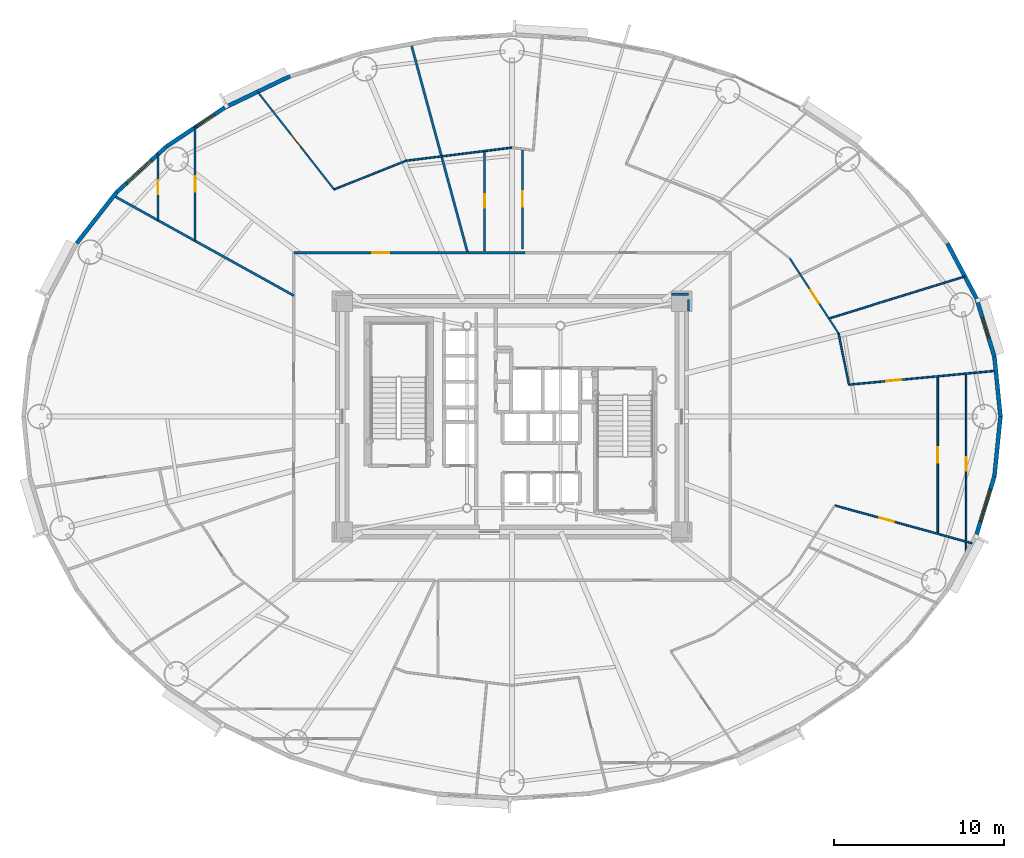
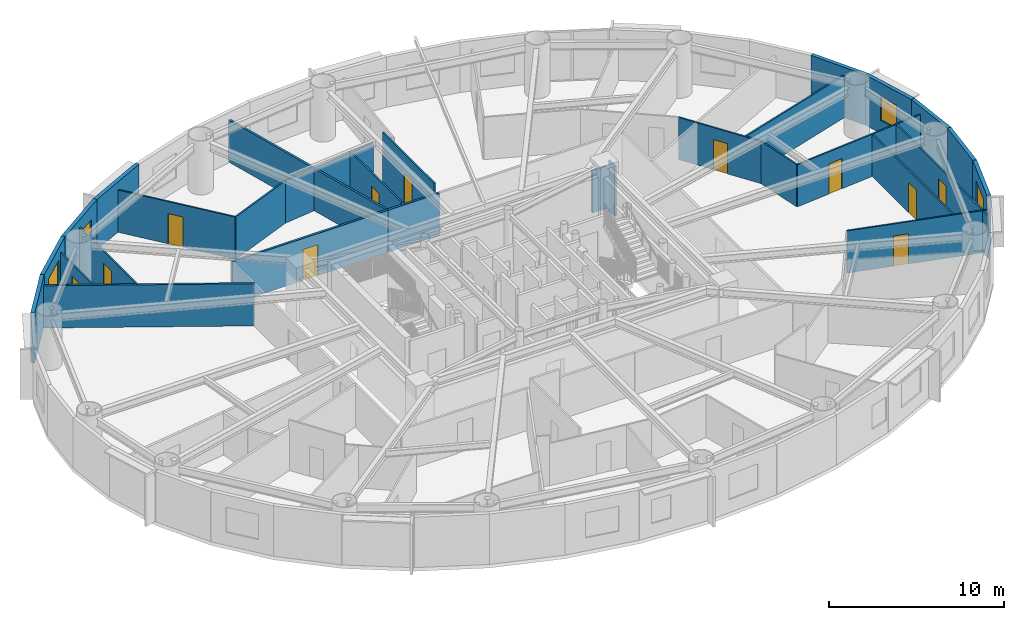
# One storey, part 10 of 16: 29 walls, 11 doors, 4 windows, 15 openings.
"""IFC4 building model written with IfcOpenShell, lengths in metres."""

from ifc_helpers import new_model, si_unit, direction, frame, frame_2d, origin, origin_2d, place, context, subcontext, project, spatial, rectangle, extrude, source, transform, mapped, material, layer, layer_set, type_object, element, fill, save


model = new_model("IFC4")

# Units and contexts
model_context = context("Model", 3, precision=1e-05, world=origin(), true_north=direction((0.0, 1.0)))
body_context = subcontext(model_context, "Body", "Model", "MODEL_VIEW")
ifc_project = project(units=[si_unit("LENGTHUNIT", "METRE"), si_unit("AREAUNIT", "SQUARE_METRE"), si_unit("VOLUMEUNIT", "CUBIC_METRE"), si_unit("PLANEANGLEUNIT", "RADIAN"), si_unit("MASSUNIT", "GRAM", prefix="KILO")], contexts=[model_context])

# Site, building, storey
site_placement = place(None, origin())
site = spatial("IfcSite", under=ifc_project, at=site_placement, CompositionType="ELEMENT")
building_placement = place(site_placement, origin())
building = spatial("IfcBuilding", under=site, at=building_placement, Name="Linh Dai School and Residence Tower", CompositionType="ELEMENT")
storey_placement = place(building_placement, frame((0.0, 0.0, 138.449951171875)))
storey = spatial("IfcBuildingStorey", under=building, at=storey_placement, Name="L33", CompositionType="ELEMENT", Elevation=138.449951171875)

# Wall
ifc_material_1 = material(Name="Precast Concrete B45 (C35/45)", Category="concrete")
ifc_layer_1 = layer(ifc_material_1, 0.239990234375)
ifc_layer_set_1 = layer_set([ifc_layer_1], Name="Precast Concrete B45 (C35/45)")
wall_type_1 = type_object("IfcWallType", Name="EW-TC-240", PredefinedType="SOLIDWALL", material=ifc_layer_set_1)
wall_1_placement = place(storey_placement, frame((64.421630859375, 30.515380859375, 0.0), z_axis=(0.0, 0.0, 1.0), x_axis=(0.099989468229, -0.994988495533, 0.0)))
element("IfcWall", 1, at=wall_1_placement, inside=storey, type_object=wall_type_1, Name="L33 Terracotta Exterior Wall 01", PredefinedType="SOLIDWALL", context=body_context, shape_type="SweptSolid", body=[
    extrude(rectangle(XDim=3.533203125, YDim=0.239990234375, at=frame_2d((1.7666015625, 0.0))), origin(), (0.0, 0.0, 1.0), 3.5),
])

# Wall, opening, window
wall_2_placement = place(storey_placement, frame((63.3701171875, 33.945068359375, 0.0), z_axis=(0.0, 0.0, 1.0), x_axis=(0.293124431344, -0.956074300329, 0.0)))
wall_2 = element("IfcWall", 2, at=wall_2_placement, inside=storey, type_object=wall_type_1, Name="L33 Terracotta Exterior Wall 02", PredefinedType="SOLIDWALL", context=body_context, shape_type="SweptSolid", body=[
    extrude(rectangle(XDim=3.587158203125, YDim=0.239990234375, at=frame_2d((1.79345703125, 0.0))), origin(), (0.0, 0.0, 1.0), 3.5),
])
opening_1_placement = place(wall_2_placement, frame((1.168701171875, 0.0, 0.89990234375)))
opening_1 = element("IfcOpeningElement", 3, at=opening_1_placement, cuts=wall_2, Name="Opening W3", PredefinedType="OPENING", context=body_context, shape_type="SweptSolid", body=[
    extrude(rectangle(XDim=1.25, YDim=1.64990234375, at=origin_2d()), frame((0.625, 0.1298828125, 0.824951171875), z_axis=(0.0, -1.0, 0.0), x_axis=(1.0, 0.0, 0.0)), (0.0, 0.0, 1.0), 0.260009765625),
])
ifc_material_2 = material(Name="Double Low-E Insulated Glazing", Category="glass")
window_type_1 = type_object("IfcWindowType", Name="WN-RES-1250x1650", PartitioningType="SINGLE_PANEL", PredefinedType="WINDOW", material=ifc_material_2)
shared_shape_1 = source(origin(), body_context, "Body", "SweptSolid", [
    extrude(rectangle(XDim=1.25, YDim=1.64990234375, at=origin_2d()), frame((0.625, 0.030029296875, 0.824951171875), z_axis=(0.0, -1.0, 0.0), x_axis=(1.0, 0.0, 0.0)), (0.0, 0.0, 1.0), 0.06005859375),
])
window_1_placement = place(opening_1_placement, origin())
window_1 = element("IfcWindow", 4, at=window_1_placement, inside=storey, type_object=window_type_1, Name="L33 Dwelling Window U3303-BD2", OverallHeight=1.64990234375, OverallWidth=1.25, PartitioningType="SINGLE_PANEL", PredefinedType="WINDOW", context=body_context, shape_type="MappedRepresentation", body=[
    mapped(shared_shape_1, transform((0.0, 0.0, 0.0), x_axis=(1.0, 0.0, 0.0), y_axis=(0.0, 1.0, 0.0), z_axis=(0.0, 0.0, 1.0), scale=1.0)),
])
fill(opening_1, window_1)

# Walls
wall_3_placement = place(storey_placement, frame((61.645263671875, 37.20556640625, 0.0), z_axis=(0.0, 0.0, 1.0), x_axis=(0.467614004126, -0.883932770716, 0.0)))
element("IfcWall", 5, at=wall_3_placement, inside=storey, type_object=wall_type_1, Name="L33 Terracotta Exterior Wall 03", PredefinedType="SOLIDWALL", context=body_context, shape_type="SweptSolid", body=[
    extrude(rectangle(XDim=3.688720703125, YDim=0.239990234375, at=frame_2d((1.84423828125, 0.0))), origin(), (0.0, 0.0, 1.0), 3.5),
])
wall_4_placement = place(storey_placement, frame((19.07470703125, 45.199462890625, 0.0), z_axis=(0.0, 0.0, 1.0), x_axis=(0.901589935876, 0.432591709962, 0.0)))
element("IfcWall", 6, at=wall_4_placement, inside=storey, type_object=wall_type_1, Name="L33 Terracotta Exterior Wall 14", PredefinedType="SOLIDWALL", context=body_context, shape_type="SweptSolid", body=[
    extrude(rectangle(XDim=4.271728515625, YDim=0.239990234375, at=frame_2d((2.1357421875, 0.0))), origin(), (0.0, 0.0, 1.0), 3.5),
])

# Wall, opening, window
wall_5_placement = place(storey_placement, frame((15.6416015625, 42.9033203125, 0.0), z_axis=(0.0, 0.0, 1.0), x_axis=(0.831221811447, 0.555940914284, 0.0)))
wall_5 = element("IfcWall", 7, at=wall_5_placement, inside=storey, type_object=wall_type_1, Name="L33 Terracotta Exterior Wall 15", PredefinedType="SOLIDWALL", context=body_context, shape_type="SweptSolid", body=[
    extrude(rectangle(XDim=4.130126953125, YDim=0.239990234375, at=frame_2d((2.06494140625, 0.0))), origin(), (0.0, 0.0, 1.0), 3.5),
])
opening_2_placement = place(wall_5_placement, frame((2.155517578125, 0.0, 0.89990234375)))
opening_2 = element("IfcOpeningElement", 8, at=opening_2_placement, cuts=wall_5, Name="Opening W3", PredefinedType="OPENING", context=body_context, shape_type="SweptSolid", body=[
    extrude(rectangle(XDim=1.25, YDim=1.64990234375, at=origin_2d()), frame((0.625, 0.1298828125, 0.824951171875), z_axis=(0.0, -1.0, 0.0), x_axis=(1.0, 0.0, 0.0)), (0.0, 0.0, 1.0), 0.260009765625),
])
window_2_placement = place(opening_2_placement, origin())
window_2 = element("IfcWindow", 9, at=window_2_placement, inside=storey, type_object=window_type_1, Name="L33 Dwelling Window U3305-LIV", OverallHeight=1.64990234375, OverallWidth=1.25, PartitioningType="SINGLE_PANEL", PredefinedType="WINDOW", context=body_context, shape_type="MappedRepresentation", body=[
    mapped(shared_shape_1, transform((0.0, 0.0, 0.0), x_axis=(1.0, 0.0, 0.0), y_axis=(0.0, 1.0, 0.0), z_axis=(0.0, 0.0, 1.0), scale=1.0)),
])
fill(opening_2, window_2)

wall_6_placement = place(storey_placement, frame((12.7109375, 40.216552734375, 0.0), z_axis=(0.0, 0.0, 1.0), x_axis=(0.737113356241, 0.675769117414, 0.0)))
wall_6 = element("IfcWall", 10, at=wall_6_placement, inside=storey, type_object=wall_type_1, Name="L33 Terracotta Exterior Wall 16", PredefinedType="SOLIDWALL", context=body_context, shape_type="SweptSolid", body=[
    extrude(rectangle(XDim=3.975830078125, YDim=0.239990234375, at=frame_2d((1.98779296875, 0.0))), origin(), (0.0, 0.0, 1.0), 3.5),
])
opening_3_placement = place(wall_6_placement, frame((0.78662109375, 0.0, 0.89990234375)))
opening_3 = element("IfcOpeningElement", 11, at=opening_3_placement, cuts=wall_6, Name="Opening W1", PredefinedType="OPENING", context=body_context, shape_type="SweptSolid", body=[
    extrude(rectangle(XDim=2.0, YDim=1.75, at=origin_2d()), frame((1.0, 0.1298828125, 0.875), z_axis=(0.0, -1.0, 0.0), x_axis=(1.0, 0.0, 0.0)), (0.0, 0.0, 1.0), 0.260009765625),
])
window_type_2 = type_object("IfcWindowType", Name="WN-RES-2000x1750", PartitioningType="DOUBLE_PANEL_VERTICAL", PredefinedType="WINDOW", material=ifc_material_2)
shared_shape_2 = source(origin(), body_context, "Body", "SweptSolid", [
    extrude(rectangle(XDim=2.0, YDim=1.75, at=origin_2d()), frame((1.0, 0.030029296875, 0.875), z_axis=(0.0, -1.0, 0.0), x_axis=(1.0, 0.0, 0.0)), (0.0, 0.0, 1.0), 0.06005859375),
])
window_3_placement = place(opening_3_placement, origin())
window_3 = element("IfcWindow", 12, at=window_3_placement, inside=storey, type_object=window_type_2, Name="L33 Exterior Window 16.1", OverallHeight=1.75, OverallWidth=2.0, PartitioningType="DOUBLE_PANEL_VERTICAL", PredefinedType="WINDOW", context=body_context, shape_type="MappedRepresentation", body=[
    mapped(shared_shape_2, transform((0.0, 0.0, 0.0), x_axis=(1.0, 0.0, 0.0), y_axis=(0.0, 1.0, 0.0), z_axis=(0.0, 0.0, 1.0), scale=1.0)),
])
fill(opening_3, window_3)

# Wall
wall_7_placement = place(storey_placement, frame((10.354736328125, 37.20556640625, 0.0), z_axis=(0.0, 0.0, 1.0), x_axis=(0.616272103517, 0.787533297345, 0.0)))
element("IfcWall", 13, at=wall_7_placement, inside=storey, type_object=wall_type_1, Name="L33 Terracotta Exterior Wall 17", PredefinedType="SOLIDWALL", context=body_context, shape_type="SweptSolid", body=[
    extrude(rectangle(XDim=3.8232421875, YDim=0.239990234375, at=frame_2d((1.91162109375, 0.0))), origin(), (0.0, 0.0, 1.0), 3.5),
])

# Wall, opening, window
wall_8_placement = place(storey_placement, frame((64.421630859375, 23.484619140625, 0.0), z_axis=(0.0, 0.0, 1.0), x_axis=(-0.293124431344, -0.956074300329, 0.0)))
wall_8 = element("IfcWall", 14, at=wall_8_placement, inside=storey, type_object=wall_type_1, Name="L33 Terracotta Exterior Wall 39", PredefinedType="SOLIDWALL", context=body_context, shape_type="SweptSolid", body=[
    extrude(rectangle(XDim=3.587158203125, YDim=0.239990234375, at=frame_2d((1.79345703125, 0.0))), origin(), (0.0, 0.0, 1.0), 3.5),
])
opening_4_placement = place(wall_8_placement, frame((0.793701171875, 0.0, 0.89990234375)))
opening_4 = element("IfcOpeningElement", 15, at=opening_4_placement, cuts=wall_8, Name="Opening W1", PredefinedType="OPENING", context=body_context, shape_type="SweptSolid", body=[
    extrude(rectangle(XDim=2.0, YDim=1.75, at=origin_2d()), frame((1.0, 0.1298828125, 0.875), z_axis=(0.0, -1.0, 0.0), x_axis=(1.0, 0.0, 0.0)), (0.0, 0.0, 1.0), 0.260009765625),
])
window_4_placement = place(opening_4_placement, origin())
window_4 = element("IfcWindow", 16, at=window_4_placement, inside=storey, type_object=window_type_2, Name="L33 Exterior Window 39.1", OverallHeight=1.75, OverallWidth=2.0, PartitioningType="DOUBLE_PANEL_VERTICAL", PredefinedType="WINDOW", context=body_context, shape_type="MappedRepresentation", body=[
    mapped(shared_shape_2, transform((0.0, 0.0, 0.0), x_axis=(1.0, 0.0, 0.0), y_axis=(0.0, 1.0, 0.0), z_axis=(0.0, 0.0, 1.0), scale=1.0)),
])
fill(opening_4, window_4)

# Walls
wall_9_placement = place(storey_placement, frame((64.77490234375, 27.0, 0.0), z_axis=(0.0, 0.0, 1.0), x_axis=(-0.099989468229, -0.994988495533, 0.0)))
element("IfcWall", 17, at=wall_9_placement, inside=storey, type_object=wall_type_1, Name="L33 Terracotta Exterior Wall 40", PredefinedType="SOLIDWALL", context=body_context, shape_type="SweptSolid", body=[
    extrude(rectangle(XDim=3.533203125, YDim=0.239990234375, at=frame_2d((1.7666015625, 0.0))), origin(), (0.0, 0.0, 1.0), 3.5),
])
ifc_material_3 = material(Name="Autoclaved Aerated Concrete Blockwork", Category="masonry")
ifc_layer_2 = layer(ifc_material_3, 0.135009765625)
ifc_layer_set_2 = layer_set([ifc_layer_2], Name="Autoclaved Aerated Concrete Blockwork")
wall_type_2 = type_object("IfcWallType", Name="IW-CORR-135-EI90", PredefinedType="PARTITIONING", material=ifc_layer_set_2)
wall_10_placement = place(storey_placement, frame((12.538818359375, 40.004638671875, 0.0), z_axis=(0.0, 0.0, 1.0), x_axis=(0.874619146564, -0.484810631549, 0.0)))
element("IfcWall", 18, at=wall_10_placement, inside=storey, type_object=wall_type_2, Name="L33 Interior Partition Wall 003", PredefinedType="PARTITIONING", context=body_context, shape_type="SweptSolid", body=[
    extrude(rectangle(XDim=12.13232421875, YDim=0.135009765625, at=frame_2d((6.066162109375, 0.0))), origin(), (0.0, 0.0, 1.0), 2.93505859375),
])

# Wall, opening, door
wall_11_placement = place(storey_placement, frame((23.14990234375, 36.64990234375, 0.0), z_axis=(0.0, 0.0, 1.0), x_axis=(1.0, 0.0, 0.0)))
wall_11 = element("IfcWall", 19, at=wall_11_placement, inside=storey, type_object=wall_type_2, Name="L33 Interior Partition Wall 017", PredefinedType="PARTITIONING", context=body_context, shape_type="SweptSolid", body=[
    extrude(rectangle(XDim=10.236328125, YDim=0.135009765625, at=frame_2d((5.1181640625, 0.0))), origin(), (0.0, 0.0, 1.0), 2.93505859375),
])
opening_5_placement = place(wall_11_placement, frame((4.6181640625, 0.0, 0.0)))
opening_5 = element("IfcOpeningElement", 20, at=opening_5_placement, cuts=wall_11, Name="Opening D03", PredefinedType="OPENING", context=body_context, shape_type="SweptSolid", body=[
    extrude(rectangle(XDim=1.0, YDim=2.14990234375, at=origin_2d()), frame((0.5, 0.07763671875, 1.074951171875), z_axis=(0.0, -1.0, 0.0), x_axis=(1.0, 0.0, 0.0)), (0.0, 0.0, 1.0), 0.155029296875),
])
ifc_material_4 = material(Name="Fire-Rated Solid Timber Entrance Door", Category="wood")
door_type_1 = type_object("IfcDoorType", Name="DR-FLAT-1000x2150-FD60S", OperationType="NOTDEFINED", PredefinedType="DOOR", material=ifc_material_4)
shared_shape_3 = source(origin(), body_context, "Body", "SweptSolid", [
    extrude(rectangle(XDim=1.0, YDim=2.14990234375, at=origin_2d()), frame((0.5, 0.02490234375, 1.074951171875), z_axis=(0.0, -1.0, 0.0), x_axis=(1.0, 0.0, 0.0)), (0.0, 0.0, 1.0), 0.050048828125),
])
door_1_placement = place(opening_5_placement, origin())
door_1 = element("IfcDoor", 21, at=door_1_placement, inside=storey, type_object=door_type_1, Name="L33 U3305 Apartment Entrance Door", OperationType="SINGLE_SWING_RIGHT", OverallHeight=2.14990234375, OverallWidth=1.0, PredefinedType="DOOR", context=body_context, shape_type="MappedRepresentation", body=[
    mapped(shared_shape_3, transform((0.0, 0.0, 0.0), x_axis=(1.0, 0.0, 0.0), y_axis=(0.0, 1.0, 0.0), z_axis=(0.0, 0.0, 1.0), scale=1.0)),
])
fill(opening_5, door_1)

# Walls
wall_12_placement = place(storey_placement, frame((30.0517578125, 48.961181640625, 0.0), z_axis=(0.0, 0.0, 1.0), x_axis=(0.261432565902, -0.965221743169, 0.0)))
element("IfcWall", 22, at=wall_12_placement, inside=storey, type_object=wall_type_2, Name="L33 Interior Partition Wall 024", PredefinedType="PARTITIONING", context=body_context, shape_type="SweptSolid", body=[
    extrude(rectangle(XDim=12.754638671875, YDim=0.135009765625, at=frame_2d((6.37744140625, 0.0))), origin(), (0.0, 0.0, 1.0), 2.93505859375),
])
wall_13_placement = place(storey_placement, frame((33.396240234375, 36.64990234375, 0.0), z_axis=(0.0, 0.0, 1.0), x_axis=(1.0, 0.0, 0.0)))
element("IfcWall", 23, at=wall_13_placement, inside=storey, type_object=wall_type_2, Name="L33 Interior Partition Wall 100", PredefinedType="PARTITIONING", context=body_context, shape_type="SweptSolid", body=[
    extrude(rectangle(XDim=3.367431640625, YDim=0.135009765625, at=frame_2d((1.68359375, 0.0))), origin(), (0.0, 0.0, 1.0), 2.93505859375),
])
wall_14_placement = place(storey_placement, frame((46.39990234375, 34.199951171875, 0.0), z_axis=(0.0, 0.0, 1.0), x_axis=(-1.0, 0.0, 0.0)))
element("IfcWall", 24, at=wall_14_placement, inside=storey, type_object=wall_type_2, Name="L33 Interior Partition Wall 102", PredefinedType="PARTITIONING", context=body_context, shape_type="SweptSolid", body=[
    extrude(rectangle(XDim=0.989990234375, YDim=0.135009765625, at=frame_2d((0.4951171875, 0.0))), origin(), (0.0, 0.0, 1.0), 2.93505859375),
])
wall_15_placement = place(storey_placement, frame((46.39990234375, 33.2099609375, 0.0), z_axis=(0.0, 0.0, 1.0), x_axis=(0.0, 1.0, 0.0)))
element("IfcWall", 25, at=wall_15_placement, inside=storey, type_object=wall_type_2, Name="L33 Interior Partition Wall 109", PredefinedType="PARTITIONING", context=body_context, shape_type="SweptSolid", body=[
    extrude(rectangle(XDim=0.6826171875, YDim=0.135009765625, at=frame_2d((0.34130859375, 0.0))), origin(), (0.0, 0.0, 1.0), 3.5),
])

# Wall, opening, door
ifc_material_5 = material(Name="Gypsum Plasterboard Acoustic Stud Partition", Category="masonry")
ifc_layer_3 = layer(ifc_material_5, 0.10009765625)
ifc_layer_set_3 = layer_set([ifc_layer_3], Name="Gypsum Plasterboard Acoustic Stud Partition")
wall_type_3 = type_object("IfcWallType", Name="IW-UNIT-100", PredefinedType="PARTITIONING", material=ifc_layer_set_3)
wall_16_placement = place(storey_placement, frame((15.1416015625, 38.56201171875, 0.0), z_axis=(0.0, 0.0, 1.0), x_axis=(0.0, 1.0, 0.0)))
wall_16 = element("IfcWall", 26, at=wall_16_placement, inside=storey, type_object=wall_type_3, Name="L33 Interior Partition Wall 005", PredefinedType="PARTITIONING", context=body_context, shape_type="SweptSolid", body=[
    extrude(rectangle(XDim=3.8896484375, YDim=0.10009765625, at=frame_2d((1.94482421875, 0.0))), origin(), (0.0, 0.0, 1.0), 2.93505859375),
])
opening_6_placement = place(wall_16_placement, frame((1.534912109375, 0.0, 0.0)))
opening_6 = element("IfcOpeningElement", 27, at=opening_6_placement, cuts=wall_16, Name="Opening D06", PredefinedType="OPENING", context=body_context, shape_type="SweptSolid", body=[
    extrude(rectangle(XDim=0.820068359375, YDim=2.10009765625, at=origin_2d()), frame((0.41015625, 0.06005859375, 1.050048828125), z_axis=(0.0, -1.0, 0.0), x_axis=(1.0, 0.0, 0.0)), (0.0, 0.0, 1.0), 0.1201171875),
])
ifc_material_6 = material(Name="Moisture-Resistant Timber Bathroom Door", Category="wood")
door_type_2 = type_object("IfcDoorType", Name="DR-WET-820x2100", OperationType="NOTDEFINED", PredefinedType="DOOR", material=ifc_material_6)
shared_shape_4 = source(origin(), body_context, "Body", "SweptSolid", [
    extrude(rectangle(XDim=0.820068359375, YDim=2.10009765625, at=origin_2d()), frame((0.41015625, 0.02490234375, 1.050048828125), z_axis=(0.0, -1.0, 0.0), x_axis=(1.0, 0.0, 0.0)), (0.0, 0.0, 1.0), 0.050048828125),
])
door_2_placement = place(opening_6_placement, origin())
door_2 = element("IfcDoor", 28, at=door_2_placement, inside=storey, type_object=door_type_2, Name="L33 Apartment U3305 Bathroom 1 Door", OperationType="SINGLE_SWING_LEFT", OverallHeight=2.10009765625, OverallWidth=0.820068359375, PredefinedType="DOOR", context=body_context, shape_type="MappedRepresentation", body=[
    mapped(shared_shape_4, transform((0.0, 0.0, 0.0), x_axis=(1.0, 0.0, 0.0), y_axis=(0.0, 1.0, 0.0), z_axis=(0.0, 0.0, 1.0), scale=1.0)),
])
fill(opening_6, door_2)

wall_17_placement = place(storey_placement, frame((17.330810546875, 37.348388671875, 0.0), z_axis=(0.0, 0.0, 1.0), x_axis=(0.0, 1.0, 0.0)))
wall_17 = element("IfcWall", 29, at=wall_17_placement, inside=storey, type_object=wall_type_3, Name="L33 Interior Partition Wall 009", PredefinedType="PARTITIONING", context=body_context, shape_type="SweptSolid", body=[
    extrude(rectangle(XDim=6.690673828125, YDim=0.10009765625, at=frame_2d((3.34521484375, 0.0))), origin(), (0.0, 0.0, 1.0), 2.93505859375),
])
opening_7_placement = place(wall_17_placement, frame((2.895263671875, 0.0, 0.0)))
opening_7 = element("IfcOpeningElement", 30, at=opening_7_placement, cuts=wall_17, Name="Opening D05", PredefinedType="OPENING", context=body_context, shape_type="SweptSolid", body=[
    extrude(rectangle(XDim=0.89990234375, YDim=2.10009765625, at=origin_2d()), frame((0.449951171875, 0.06005859375, 1.050048828125), z_axis=(0.0, -1.0, 0.0), x_axis=(1.0, 0.0, 0.0)), (0.0, 0.0, 1.0), 0.1201171875),
])
ifc_material_7 = material(Name="Engineered Timber Internal Door", Category="wood")
door_type_3 = type_object("IfcDoorType", Name="DR-INT-900x2100", OperationType="NOTDEFINED", PredefinedType="DOOR", material=ifc_material_7)
shared_shape_5 = source(origin(), body_context, "Body", "SweptSolid", [
    extrude(rectangle(XDim=0.89990234375, YDim=2.10009765625, at=origin_2d()), frame((0.449951171875, 0.02490234375, 1.050048828125), z_axis=(0.0, -1.0, 0.0), x_axis=(1.0, 0.0, 0.0)), (0.0, 0.0, 1.0), 0.050048828125),
])
door_3_placement = place(opening_7_placement, origin())
door_3 = element("IfcDoor", 31, at=door_3_placement, inside=storey, type_object=door_type_3, Name="L33 Apartment U3305 Kitchen Door", OperationType="SINGLE_SWING_RIGHT", OverallHeight=2.10009765625, OverallWidth=0.89990234375, PredefinedType="DOOR", context=body_context, shape_type="MappedRepresentation", body=[
    mapped(shared_shape_5, transform((0.0, 0.0, 0.0), x_axis=(1.0, 0.0, 0.0), y_axis=(0.0, 1.0, 0.0), z_axis=(0.0, 0.0, 1.0), scale=1.0)),
])
fill(opening_7, door_3)

wall_18_placement = place(storey_placement, frame((21.009521484375, 46.13330078125, 0.0), z_axis=(0.0, 0.0, 1.0), x_axis=(0.616738538538, -0.787168072956, 0.0)))
wall_18 = element("IfcWall", 32, at=wall_18_placement, inside=storey, type_object=wall_type_3, Name="L33 Interior Partition Wall 014", PredefinedType="PARTITIONING", context=body_context, shape_type="SweptSolid", body=[
    extrude(rectangle(XDim=7.3115234375, YDim=0.10009765625, at=frame_2d((3.65576171875, 0.0))), origin(), (0.0, 0.0, 1.0), 2.93505859375),
])
opening_8_placement = place(wall_18_placement, frame((3.205810546875, 0.0, 0.0)))
opening_8 = element("IfcOpeningElement", 33, at=opening_8_placement, cuts=wall_18, Name="Opening D05", PredefinedType="OPENING", context=body_context, shape_type="SweptSolid", body=[
    extrude(rectangle(XDim=0.89990234375, YDim=2.10009765625, at=origin_2d()), frame((0.449951171875, 0.06005859375, 1.050048828125), z_axis=(0.0, -1.0, 0.0), x_axis=(1.0, 0.0, 0.0)), (0.0, 0.0, 1.0), 0.1201171875),
])
door_4_placement = place(opening_8_placement, origin())
door_4 = element("IfcDoor", 34, at=door_4_placement, inside=storey, type_object=door_type_3, Name="L33 Apartment U3305 Principal Bedroom 1 Door", OperationType="SINGLE_SWING_LEFT", OverallHeight=2.10009765625, OverallWidth=0.89990234375, PredefinedType="DOOR", context=body_context, shape_type="MappedRepresentation", body=[
    mapped(shared_shape_5, transform((0.0, 0.0, 0.0), x_axis=(1.0, 0.0, 0.0), y_axis=(0.0, 1.0, 0.0), z_axis=(0.0, 0.0, 1.0), scale=1.0)),
])
fill(opening_8, door_4)

# Walls
wall_19_placement = place(storey_placement, frame((25.518798828125, 40.3779296875, 0.0), z_axis=(0.0, 0.0, 1.0), x_axis=(0.928790623107, 0.37060488182, 0.0)))
element("IfcWall", 35, at=wall_19_placement, inside=storey, type_object=wall_type_3, Name="L33 Interior Partition Wall 018", PredefinedType="PARTITIONING", context=body_context, shape_type="SweptSolid", body=[
    extrude(rectangle(XDim=4.553955078125, YDim=0.10009765625, at=frame_2d((2.27685546875, 0.0))), origin(), (0.0, 0.0, 1.0), 2.93505859375),
])
wall_20_placement = place(storey_placement, frame((29.74853515625, 42.065673828125, 0.0), z_axis=(0.0, 0.0, 1.0), x_axis=(0.992395485088, 0.123090215599, 0.0)))
element("IfcWall", 36, at=wall_20_placement, inside=storey, type_object=wall_type_3, Name="L33 Interior Partition Wall 023", PredefinedType="PARTITIONING", context=body_context, shape_type="SweptSolid", body=[
    extrude(rectangle(XDim=6.29931640625, YDim=0.10009765625, at=frame_2d((3.149658203125, 0.0))), origin(), (0.0, 0.0, 1.0), 2.93505859375),
])

# Wall, opening, door
wall_21_placement = place(storey_placement, frame((34.38525390625, 36.7568359375, 0.0), z_axis=(0.0, 0.0, 1.0), x_axis=(0.0, 1.0, 0.0)))
wall_21 = element("IfcWall", 37, at=wall_21_placement, inside=storey, type_object=wall_type_3, Name="L33 Interior Partition Wall 036", PredefinedType="PARTITIONING", context=body_context, shape_type="SweptSolid", body=[
    extrude(rectangle(XDim=5.884033203125, YDim=0.10009765625, at=frame_2d((2.94189453125, 0.0))), origin(), (0.0, 0.0, 1.0), 3.03515625),
])
opening_9_placement = place(wall_21_placement, frame((2.531982421875, 0.0, 0.0)))
opening_9 = element("IfcOpeningElement", 38, at=opening_9_placement, cuts=wall_21, Name="Opening D06", PredefinedType="OPENING", context=body_context, shape_type="SweptSolid", body=[
    extrude(rectangle(XDim=0.820068359375, YDim=2.10009765625, at=origin_2d()), frame((0.41015625, 0.06005859375, 1.050048828125), z_axis=(0.0, -1.0, 0.0), x_axis=(1.0, 0.0, 0.0)), (0.0, 0.0, 1.0), 0.1201171875),
])
door_5_placement = place(opening_9_placement, origin())
door_5 = element("IfcDoor", 39, at=door_5_placement, inside=storey, type_object=door_type_2, Name="L33 Apartment U3304 Bathroom 1 Door", OperationType="SINGLE_SWING_LEFT", OverallHeight=2.10009765625, OverallWidth=0.820068359375, PredefinedType="DOOR", context=body_context, shape_type="MappedRepresentation", body=[
    mapped(shared_shape_4, transform((0.0, 0.0, 0.0), x_axis=(1.0, 0.0, 0.0), y_axis=(0.0, 1.0, 0.0), z_axis=(0.0, 0.0, 1.0), scale=1.0)),
])
fill(opening_9, door_5)

wall_22_placement = place(storey_placement, frame((36.617431640625, 36.880615234375, 0.0), z_axis=(0.0, 0.0, 1.0), x_axis=(0.0, 1.0, 0.0)))
wall_22 = element("IfcWall", 40, at=wall_22_placement, inside=storey, type_object=wall_type_3, Name="L33 Interior Partition Wall 051", PredefinedType="PARTITIONING", context=body_context, shape_type="SweptSolid", body=[
    extrude(rectangle(XDim=5.8837890625, YDim=0.10009765625, at=frame_2d((2.94189453125, 0.0))), origin(), (0.0, 0.0, 1.0), 3.5),
])
opening_10_placement = place(wall_22_placement, frame((2.491943359375, 0.0, 0.0)))
opening_10 = element("IfcOpeningElement", 41, at=opening_10_placement, cuts=wall_22, Name="Opening D05", PredefinedType="OPENING", context=body_context, shape_type="SweptSolid", body=[
    extrude(rectangle(XDim=0.89990234375, YDim=2.10009765625, at=origin_2d()), frame((0.449951171875, 0.06005859375, 1.050048828125), z_axis=(0.0, -1.0, 0.0), x_axis=(1.0, 0.0, 0.0)), (0.0, 0.0, 1.0), 0.1201171875),
])
door_6_placement = place(opening_10_placement, origin())
door_6 = element("IfcDoor", 42, at=door_6_placement, inside=storey, type_object=door_type_3, Name="L33 Apartment U3304 Kitchen Door", OperationType="SINGLE_SWING_RIGHT", OverallHeight=2.10009765625, OverallWidth=0.89990234375, PredefinedType="DOOR", context=body_context, shape_type="MappedRepresentation", body=[
    mapped(shared_shape_5, transform((0.0, 0.0, 0.0), x_axis=(1.0, 0.0, 0.0), y_axis=(0.0, 1.0, 0.0), z_axis=(0.0, 0.0, 1.0), scale=1.0)),
])
fill(opening_10, door_6)

wall_23_placement = place(storey_placement, frame((52.366455078125, 36.31103515625, 0.0), z_axis=(0.0, 0.0, 1.0), x_axis=(0.545405249109, -0.838172484781, 0.0)))
wall_23 = element("IfcWall", 43, at=wall_23_placement, inside=storey, type_object=wall_type_3, Name="L33 Interior Partition Wall 082", PredefinedType="PARTITIONING", context=body_context, shape_type="SweptSolid", body=[
    extrude(rectangle(XDim=5.2685546875, YDim=0.10009765625, at=frame_2d((2.63427734375, 0.0))), origin(), (0.0, 0.0, 1.0), 2.93505859375),
])
opening_11_placement = place(wall_23_placement, frame((2.228271484375, 0.0, 0.0)))
opening_11 = element("IfcOpeningElement", 44, at=opening_11_placement, cuts=wall_23, Name="Opening D05", PredefinedType="OPENING", context=body_context, shape_type="SweptSolid", body=[
    extrude(rectangle(XDim=0.89990234375, YDim=2.10009765625, at=origin_2d()), frame((0.449951171875, 0.06005859375, 1.050048828125), z_axis=(0.0, -1.0, 0.0), x_axis=(1.0, 0.0, 0.0)), (0.0, 0.0, 1.0), 0.1201171875),
])
door_7_placement = place(opening_11_placement, origin())
door_7 = element("IfcDoor", 45, at=door_7_placement, inside=storey, type_object=door_type_3, Name="L33 Apartment U3303 Study Door", OperationType="SINGLE_SWING_RIGHT", OverallHeight=2.10009765625, OverallWidth=0.89990234375, PredefinedType="DOOR", context=body_context, shape_type="MappedRepresentation", body=[
    mapped(shared_shape_5, transform((0.0, 0.0, 0.0), x_axis=(1.0, 0.0, 0.0), y_axis=(0.0, 1.0, 0.0), z_axis=(0.0, 0.0, 1.0), scale=1.0)),
])
fill(opening_11, door_7)

# Wall
wall_24_placement = place(storey_placement, frame((54.66796875, 32.774169921875, 0.0), z_axis=(0.0, 0.0, 1.0), x_axis=(0.955345753083, 0.295490257144, 0.0)))
element("IfcWall", 46, at=wall_24_placement, inside=storey, type_object=wall_type_3, Name="L33 Interior Partition Wall 084", PredefinedType="PARTITIONING", context=body_context, shape_type="SweptSolid", body=[
    extrude(rectangle(XDim=8.390380859375, YDim=0.10009765625, at=frame_2d((4.1953125, 0.0))), origin(), (0.0, 0.0, 1.0), 2.93505859375),
])

# Wall, opening, door
wall_25_placement = place(storey_placement, frame((55.0166015625, 21.761962890625, 0.0), z_axis=(0.0, 0.0, 1.0), x_axis=(0.964092156587, -0.265567907714, 0.0)))
wall_25 = element("IfcWall", 47, at=wall_25_placement, inside=storey, type_object=wall_type_3, Name="L33 Interior Partition Wall 085", PredefinedType="PARTITIONING", context=body_context, shape_type="SweptSolid", body=[
    extrude(rectangle(XDim=8.385009765625, YDim=0.10009765625, at=frame_2d((4.1923828125, 0.0))), origin(), (0.0, 0.0, 1.0), 2.93505859375),
])
opening_12_placement = place(wall_25_placement, frame((2.71728515625, 0.0, 0.0)))
opening_12 = element("IfcOpeningElement", 48, at=opening_12_placement, cuts=wall_25, Name="Opening D05", PredefinedType="OPENING", context=body_context, shape_type="SweptSolid", body=[
    extrude(rectangle(XDim=0.89990234375, YDim=2.10009765625, at=origin_2d()), frame((0.449951171875, 0.06005859375, 1.050048828125), z_axis=(0.0, -1.0, 0.0), x_axis=(1.0, 0.0, 0.0)), (0.0, 0.0, 1.0), 0.1201171875),
])
door_8_placement = place(opening_12_placement, origin())
door_8 = element("IfcDoor", 49, at=door_8_placement, inside=storey, type_object=door_type_3, Name="L33 Apartment U3303 Study Door", OperationType="SINGLE_SWING_RIGHT", OverallHeight=2.10009765625, OverallWidth=0.89990234375, PredefinedType="DOOR", context=body_context, shape_type="MappedRepresentation", body=[
    mapped(shared_shape_5, transform((0.0, 0.0, 0.0), x_axis=(1.0, 0.0, 0.0), y_axis=(0.0, 1.0, 0.0), z_axis=(0.0, 0.0, 1.0), scale=1.0)),
])
fill(opening_12, door_8)

# Wall
wall_26_placement = place(storey_placement, frame((55.239990234375, 31.89501953125, 0.0), z_axis=(0.0, 0.0, 1.0), x_axis=(0.198189059207, -0.980163811213, 0.0)))
element("IfcWall", 50, at=wall_26_placement, inside=storey, type_object=wall_type_3, Name="L33 Interior Partition Wall 086", PredefinedType="PARTITIONING", context=body_context, shape_type="SweptSolid", body=[
    extrude(rectangle(XDim=3.07958984375, YDim=0.10009765625, at=frame_2d((1.539794921875, 0.0))), origin(), (0.0, 0.0, 1.0), 2.93505859375),
])

# Wall, opening, door
wall_27_placement = place(storey_placement, frame((55.850341796875, 28.87646484375, 0.0), z_axis=(0.0, 0.0, 1.0), x_axis=(0.995563342767, 0.094093732729, 0.0)))
wall_27 = element("IfcWall", 51, at=wall_27_placement, inside=storey, type_object=wall_type_3, Name="L33 Interior Partition Wall 087", PredefinedType="PARTITIONING", context=body_context, shape_type="SweptSolid", body=[
    extrude(rectangle(XDim=8.697265625, YDim=0.10009765625, at=frame_2d((4.3486328125, 0.0))), origin(), (0.0, 0.0, 1.0), 2.93505859375),
])
opening_13_placement = place(wall_27_placement, frame((2.19921875, 0.0, 0.0)))
opening_13 = element("IfcOpeningElement", 52, at=opening_13_placement, cuts=wall_27, Name="Opening D05", PredefinedType="OPENING", context=body_context, shape_type="SweptSolid", body=[
    extrude(rectangle(XDim=0.89990234375, YDim=2.10009765625, at=origin_2d()), frame((0.449951171875, 0.06005859375, 1.050048828125), z_axis=(0.0, -1.0, 0.0), x_axis=(1.0, 0.0, 0.0)), (0.0, 0.0, 1.0), 0.1201171875),
])
door_9_placement = place(opening_13_placement, origin())
door_9 = element("IfcDoor", 53, at=door_9_placement, inside=storey, type_object=door_type_3, Name="L33 Apartment U3303 Principal Bedroom 2 Door", OperationType="SINGLE_SWING_LEFT", OverallHeight=2.10009765625, OverallWidth=0.89990234375, PredefinedType="DOOR", context=body_context, shape_type="MappedRepresentation", body=[
    mapped(shared_shape_5, transform((0.0, 0.0, 0.0), x_axis=(1.0, 0.0, 0.0), y_axis=(0.0, 1.0, 0.0), z_axis=(0.0, 0.0, 1.0), scale=1.0)),
])
fill(opening_13, door_9)

wall_28_placement = place(storey_placement, frame((61.08544921875, 20.09033203125, 0.0), z_axis=(0.0, 0.0, 1.0), x_axis=(0.0, 1.0, 0.0)))
wall_28 = element("IfcWall", 54, at=wall_28_placement, inside=storey, type_object=wall_type_3, Name="L33 Interior Partition Wall 088", PredefinedType="PARTITIONING", context=body_context, shape_type="SweptSolid", body=[
    extrude(rectangle(XDim=9.281005859375, YDim=0.10009765625, at=frame_2d((4.640625, 0.0))), origin(), (0.0, 0.0, 1.0), 2.93505859375),
])
opening_14_placement = place(wall_28_placement, frame((4.1904296875, 0.0, 0.0)))
opening_14 = element("IfcOpeningElement", 55, at=opening_14_placement, cuts=wall_28, Name="Opening D05", PredefinedType="OPENING", context=body_context, shape_type="SweptSolid", body=[
    extrude(rectangle(XDim=0.89990234375, YDim=2.10009765625, at=origin_2d()), frame((0.449951171875, 0.06005859375, 1.050048828125), z_axis=(0.0, -1.0, 0.0), x_axis=(1.0, 0.0, 0.0)), (0.0, 0.0, 1.0), 0.1201171875),
])
door_10_placement = place(opening_14_placement, origin())
door_10 = element("IfcDoor", 56, at=door_10_placement, inside=storey, type_object=door_type_3, Name="L33 Apartment U3303 Kitchen Door", OperationType="SINGLE_SWING_LEFT", OverallHeight=2.10009765625, OverallWidth=0.89990234375, PredefinedType="DOOR", context=body_context, shape_type="MappedRepresentation", body=[
    mapped(shared_shape_5, transform((0.0, 0.0, 0.0), x_axis=(1.0, 0.0, 0.0), y_axis=(0.0, 1.0, 0.0), z_axis=(0.0, 0.0, 1.0), scale=1.0)),
])
fill(opening_14, door_10)

wall_29_placement = place(storey_placement, frame((62.75390625, 18.879638671875, 0.0), z_axis=(0.0, 0.0, 1.0), x_axis=(0.0, 1.0, 0.0)))
wall_29 = element("IfcWall", 57, at=wall_29_placement, inside=storey, type_object=wall_type_3, Name="L33 Interior Partition Wall 089", PredefinedType="PARTITIONING", context=body_context, shape_type="SweptSolid", body=[
    extrude(rectangle(XDim=10.6494140625, YDim=0.10009765625, at=frame_2d((5.32470703125, 0.0))), origin(), (0.0, 0.0, 1.0), 2.93505859375),
])
opening_15_placement = place(wall_29_placement, frame((4.914794921875, 0.0, 0.0)))
opening_15 = element("IfcOpeningElement", 58, at=opening_15_placement, cuts=wall_29, Name="Opening D06", PredefinedType="OPENING", context=body_context, shape_type="SweptSolid", body=[
    extrude(rectangle(XDim=0.820068359375, YDim=2.10009765625, at=origin_2d()), frame((0.41015625, 0.06005859375, 1.050048828125), z_axis=(0.0, -1.0, 0.0), x_axis=(1.0, 0.0, 0.0)), (0.0, 0.0, 1.0), 0.1201171875),
])
door_11_placement = place(opening_15_placement, origin())
door_11 = element("IfcDoor", 59, at=door_11_placement, inside=storey, type_object=door_type_2, Name="L33 Apartment U3303 Bathroom 1 Door", OperationType="SINGLE_SWING_RIGHT", OverallHeight=2.10009765625, OverallWidth=0.820068359375, PredefinedType="DOOR", context=body_context, shape_type="MappedRepresentation", body=[
    mapped(shared_shape_4, transform((0.0, 0.0, 0.0), x_axis=(1.0, 0.0, 0.0), y_axis=(0.0, 1.0, 0.0), z_axis=(0.0, 0.0, 1.0), scale=1.0)),
])
fill(opening_15, door_11)

save(model, "model.ifc")
